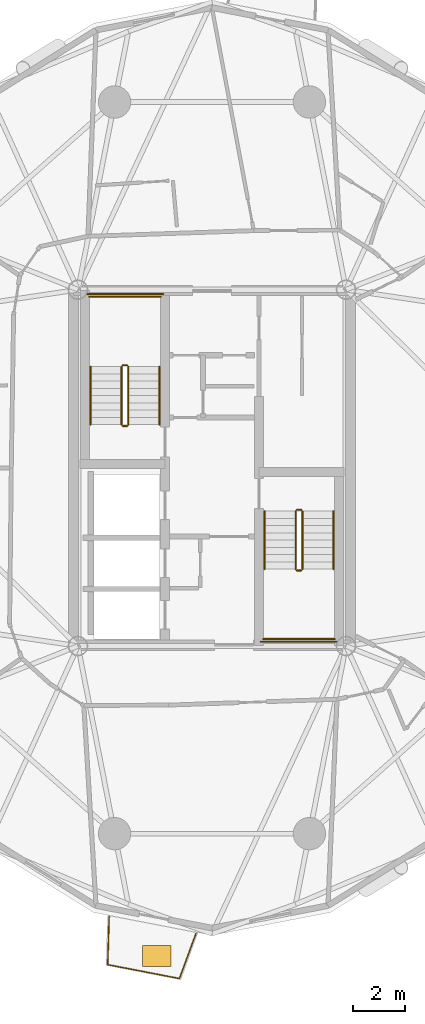
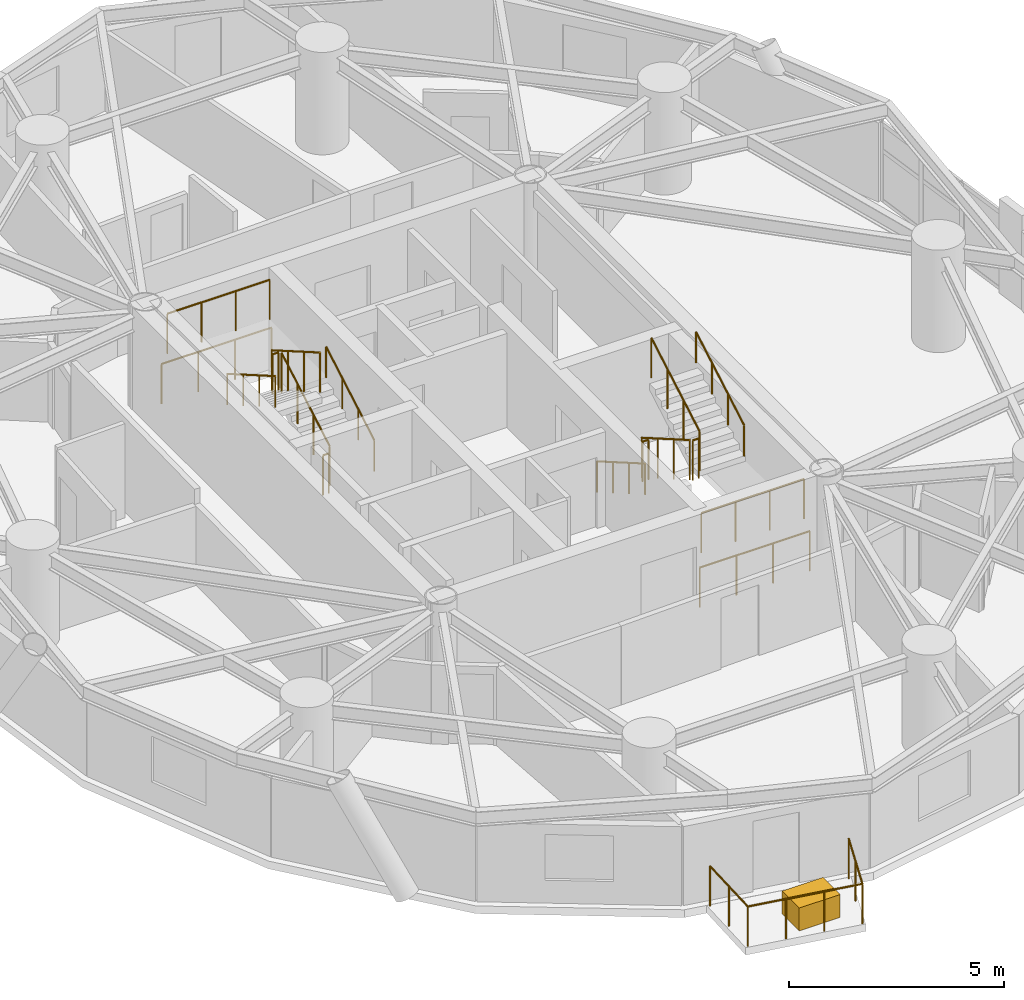
# One storey, part 15 of 17: 17 railings, 1 covering.
"""IFC4 building model written with IfcOpenShell, lengths in metres."""

from ifc_helpers import new_model, si_unit, direction, frame, origin, origin_2d, place, context, subcontext, project, spatial, rectangle, circle, extrude, source, transform, mapped, material, layer, layer_set, type_object, element, save


model = new_model("IFC4")

# Units and contexts
model_context = context("Model", 3, precision=1e-05, world=origin(), true_north=direction((0.0, 1.0)))
body_context = subcontext(model_context, "Body", "Model", "MODEL_VIEW")
ifc_project = project(units=[si_unit("LENGTHUNIT", "METRE"), si_unit("AREAUNIT", "SQUARE_METRE"), si_unit("VOLUMEUNIT", "CUBIC_METRE"), si_unit("PLANEANGLEUNIT", "RADIAN"), si_unit("MASSUNIT", "GRAM", prefix="KILO")], contexts=[model_context])

# Site, building, storey
site_placement = place(None, origin())
site = spatial("IfcSite", under=ifc_project, at=site_placement, CompositionType="ELEMENT")
building_placement = place(site_placement, origin())
building = spatial("IfcBuilding", under=site, at=building_placement, Name="Cununo Teusaquillo Station Towers", CompositionType="ELEMENT")
storey_placement = place(building_placement, frame((0.0, 0.0, 154.510009765625)))
storey = spatial("IfcBuildingStorey", under=building, at=storey_placement, Name="L48", CompositionType="ELEMENT", Elevation=154.510009765625)

# Railings
ifc_material_1 = material(Name="Anodised dark bronze aluminium EN AW-6063-T6", Category="aluminium")
railing_type_1 = type_object("IfcRailingType", Name="RL-EXT-GUARD", PredefinedType="GUARDRAIL", material=ifc_material_1)
railing_1_placement = place(storey_placement, frame((15.882568359375, 6.525390625, 0.0)))
element("IfcRailing", 1, at=railing_1_placement, inside=storey, type_object=railing_type_1, Name="L48 Tower A Balcony Guardrail C14", PredefinedType="GUARDRAIL", context=body_context, shape_type="SweptSolid", body=[
    extrude(circle(Radius=0.02392578125, at=origin_2d()), frame((0.0, 0.0, 1.1259765625), z_axis=(-0.344127190422, -0.938923040942, 0.0), x_axis=(0.938923040942, -0.344127190422, 0.0)), (0.0, 0.0, 1.0), 1.857421875),
    extrude(circle(Radius=0.02392578125, at=origin_2d()), frame((-0.63916015625, -1.743896484375, 1.1259765625), z_axis=(-0.981837596309, 0.18972331031, 0.0), x_axis=(-0.18972331031, -0.981837596309, 0.0)), (0.0, 0.0, 1.0), 2.822021484375),
    extrude(circle(Radius=0.02392578125, at=origin_2d()), frame((-3.409912109375, -1.20849609375, 1.1259765625), z_axis=(0.030492060761, 0.999535009007, 0.0), x_axis=(-0.999535009007, 0.030492060761, 0.0)), (0.0, 0.0, 1.0), 1.857666015625),
    extrude(circle(Radius=0.02099609375, at=origin_2d()), origin(), (0.0, 0.0, 1.0), 1.101806640625),
    extrude(circle(Radius=0.02099609375, at=origin_2d()), frame((-0.319580078125, -0.8720703125, 0.0)), (0.0, 0.0, 1.0), 1.101806640625),
    extrude(circle(Radius=0.02099609375, at=origin_2d()), frame((-0.63916015625, -1.743896484375, 0.0)), (0.0, 0.0, 1.0), 1.101806640625),
    extrude(circle(Radius=0.02099609375, at=origin_2d()), frame((-1.562744140625, -1.5654296875, 0.0)), (0.0, 0.0, 1.0), 1.101806640625),
    extrude(circle(Radius=0.02099609375, at=origin_2d()), frame((-2.486328125, -1.386962890625, 0.0)), (0.0, 0.0, 1.0), 1.101806640625),
    extrude(circle(Radius=0.02099609375, at=origin_2d()), frame((-3.409912109375, -1.20849609375, 0.0)), (0.0, 0.0, 1.0), 1.101806640625),
    extrude(circle(Radius=0.02099609375, at=origin_2d()), frame((-3.381591796875, -0.2802734375, 0.0)), (0.0, 0.0, 1.0), 1.101806640625),
    extrude(circle(Radius=0.02099609375, at=origin_2d()), frame((-3.353271484375, 0.648193359375, 0.0)), (0.0, 0.0, 1.0), 1.101806640625),
])
ifc_material_2 = material(Name="Steel EN 10025-2 S355J2", Category="steel")
railing_type_2 = type_object("IfcRailingType", Name="RL-INT-GUARD", PredefinedType="GUARDRAIL", material=ifc_material_2)
railing_2_placement = place(storey_placement, frame((13.27001953125, 26.169921875, 0.16162109375)))
element("IfcRailing", 2, at=railing_2_placement, inside=storey, type_object=railing_type_2, Name="L48 ST-T1-1 stair guard 1", PredefinedType="GUARDRAIL", context=body_context, shape_type="SweptSolid", body=[
    extrude(circle(Radius=0.02392578125, at=origin_2d()), frame((0.0, 0.0, 1.1259765625), z_axis=(0.0, 0.865992244559, 0.500057429065), x_axis=(-1.0, 0.0, 0.0)), (0.0, 0.0, 1.0), 2.586669921875),
    extrude(circle(Radius=0.02099609375, at=origin_2d()), origin(), (0.0, 0.0, 1.0), 1.101806640625),
    extrude(circle(Radius=0.02099609375, at=origin_2d()), frame((0.0, 0.74658203125, 0.43115234375)), (0.0, 0.0, 1.0), 1.101806640625),
    extrude(circle(Radius=0.02099609375, at=origin_2d()), frame((0.0, 1.493408203125, 0.8623046875)), (0.0, 0.0, 1.0), 1.101806640625),
    extrude(circle(Radius=0.02099609375, at=origin_2d()), frame((0.0, 2.239990234375, 1.29345703125)), (0.0, 0.0, 1.0), 1.101806640625),
])
railing_3_placement = place(storey_placement, frame((13.219970703125, 28.4599609375, 1.455078125)))
element("IfcRailing", 3, at=railing_3_placement, inside=storey, type_object=railing_type_2, Name="L48 ST-T1-1 stair guard 2", PredefinedType="GUARDRAIL", context=body_context, shape_type="SweptSolid", body=[
    extrude(circle(Radius=0.02392578125, at=origin_2d()), frame((0.0, 0.0, 1.1259765625), z_axis=(-1.0, 0.0, 0.0), x_axis=(0.0, -1.0, 0.0)), (0.0, 0.0, 1.0), 0.159912109375),
    extrude(circle(Radius=0.02099609375, at=origin_2d()), origin(), (0.0, 0.0, 1.0), 1.101806640625),
    extrude(circle(Radius=0.02099609375, at=origin_2d()), frame((-0.159912109375, 0.0, 0.0)), (0.0, 0.0, 1.0), 1.101806640625),
])
railing_4_placement = place(storey_placement, frame((14.52001953125, 31.110107421875, 1.455078125)))
element("IfcRailing", 4, at=railing_4_placement, inside=storey, type_object=railing_type_2, Name="L48 ST-T1-1 stair guard 3", PredefinedType="GUARDRAIL", context=body_context, shape_type="SweptSolid", body=[
    extrude(circle(Radius=0.02392578125, at=origin_2d()), frame((0.0, 0.0, 1.1259765625), z_axis=(-1.0, 0.0, 0.0), x_axis=(0.0, -1.0, 0.0)), (0.0, 0.0, 1.0), 2.760009765625),
    extrude(circle(Radius=0.02099609375, at=origin_2d()), origin(), (0.0, 0.0, 1.0), 1.101806640625),
    extrude(circle(Radius=0.02099609375, at=origin_2d()), frame((-0.919921875, 0.0, 0.0)), (0.0, 0.0, 1.0), 1.101806640625),
    extrude(circle(Radius=0.02099609375, at=origin_2d()), frame((-1.840087890625, 0.0, 0.0)), (0.0, 0.0, 1.0), 1.101806640625),
    extrude(circle(Radius=0.02099609375, at=origin_2d()), frame((-2.760009765625, 0.0, 0.0)), (0.0, 0.0, 1.0), 1.101806640625),
])
railing_5_placement = place(storey_placement, frame((13.010009765625, 28.409912109375, 1.61669921875)))
element("IfcRailing", 5, at=railing_5_placement, inside=storey, type_object=railing_type_2, Name="L48 ST-T1-1 stair guard 4", PredefinedType="GUARDRAIL", context=body_context, shape_type="SweptSolid", body=[
    extrude(circle(Radius=0.02392578125, at=origin_2d()), frame((0.0, 0.0, 1.1259765625), z_axis=(0.0, -0.866033117094, 0.499986639918), x_axis=(1.0, 0.0, 0.0)), (0.0, 0.0, 1.0), 2.58642578125),
    extrude(circle(Radius=0.02099609375, at=origin_2d()), origin(), (0.0, 0.0, 1.0), 1.101806640625),
    extrude(circle(Radius=0.02099609375, at=origin_2d()), frame((0.0, -0.74658203125, 0.43115234375)), (0.0, 0.0, 1.0), 1.101806640625),
    extrude(circle(Radius=0.02099609375, at=origin_2d()), frame((0.0, -1.493408203125, 0.862060546875)), (0.0, 0.0, 1.0), 1.101806640625),
    extrude(circle(Radius=0.02099609375, at=origin_2d()), frame((0.0, -2.239990234375, 1.293212890625)), (0.0, 0.0, 1.0), 1.101806640625),
])
railing_6_placement = place(storey_placement, frame((13.219970703125, 26.1201171875, 0.0)))
element("IfcRailing", 6, at=railing_6_placement, inside=storey, type_object=railing_type_2, Name="L48 ST-T1-1 stair guard 5", PredefinedType="GUARDRAIL", context=body_context, shape_type="SweptSolid", body=[
    extrude(circle(Radius=0.02392578125, at=origin_2d()), frame((0.0, 0.0, 1.1259765625), z_axis=(-1.0, 0.0, 0.0), x_axis=(0.0, -1.0, 0.0)), (0.0, 0.0, 1.0), 0.159912109375),
    extrude(circle(Radius=0.02099609375, at=origin_2d()), origin(), (0.0, 0.0, 1.0), 1.101806640625),
    extrude(circle(Radius=0.02099609375, at=origin_2d()), frame((-0.159912109375, 0.0, 0.0)), (0.0, 0.0, 1.0), 1.101806640625),
])
railing_7_placement = place(storey_placement, frame((14.6201171875, 31.2099609375, 0.0)))
element("IfcRailing", 7, at=railing_7_placement, inside=storey, type_object=railing_type_2, Name="L48 ST-T1-1 stair guard 6", PredefinedType="GUARDRAIL", context=body_context, shape_type="SweptSolid", body=[
    extrude(circle(Radius=0.02392578125, at=origin_2d()), frame((0.0, 0.0, 1.1259765625), z_axis=(-1.0, 0.0, 0.0), x_axis=(0.0, -1.0, 0.0)), (0.0, 0.0, 1.0), 2.960205078125),
    extrude(circle(Radius=0.02099609375, at=origin_2d()), origin(), (0.0, 0.0, 1.0), 1.101806640625),
    extrude(circle(Radius=0.02099609375, at=origin_2d()), frame((-0.98681640625, 0.0, 0.0)), (0.0, 0.0, 1.0), 1.101806640625),
    extrude(circle(Radius=0.02099609375, at=origin_2d()), frame((-1.973388671875, 0.0, 0.0)), (0.0, 0.0, 1.0), 1.101806640625),
    extrude(circle(Radius=0.02099609375, at=origin_2d()), frame((-2.960205078125, 0.0, 0.0)), (0.0, 0.0, 1.0), 1.101806640625),
])
railing_8_placement = place(storey_placement, frame((19.72998046875, 22.830078125, 0.16162109375)))
element("IfcRailing", 8, at=railing_8_placement, inside=storey, type_object=railing_type_2, Name="L48 ST-T1-2 stair guard 1", PredefinedType="GUARDRAIL", context=body_context, shape_type="SweptSolid", body=[
    extrude(circle(Radius=0.02392578125, at=origin_2d()), frame((0.0, 0.0, 1.1259765625), z_axis=(0.0, -0.865992244559, 0.500057429065), x_axis=(1.0, 0.0, 0.0)), (0.0, 0.0, 1.0), 2.586669921875),
    extrude(circle(Radius=0.02099609375, at=origin_2d()), origin(), (0.0, 0.0, 1.0), 1.101806640625),
    extrude(circle(Radius=0.02099609375, at=origin_2d()), frame((0.0, -0.74658203125, 0.43115234375)), (0.0, 0.0, 1.0), 1.101806640625),
    extrude(circle(Radius=0.02099609375, at=origin_2d()), frame((0.0, -1.493408203125, 0.8623046875)), (0.0, 0.0, 1.0), 1.101806640625),
    extrude(circle(Radius=0.02099609375, at=origin_2d()), frame((0.0, -2.239990234375, 1.29345703125)), (0.0, 0.0, 1.0), 1.101806640625),
])
railing_9_placement = place(storey_placement, frame((19.780029296875, 20.5400390625, 1.455078125)))
element("IfcRailing", 9, at=railing_9_placement, inside=storey, type_object=railing_type_2, Name="L48 ST-T1-2 stair guard 2", PredefinedType="GUARDRAIL", context=body_context, shape_type="SweptSolid", body=[
    extrude(circle(Radius=0.02392578125, at=origin_2d()), frame((0.0, 0.0, 1.1259765625), z_axis=(1.0, 0.0, 0.0), x_axis=(0.0, 1.0, 0.0)), (0.0, 0.0, 1.0), 0.159912109375),
    extrude(circle(Radius=0.02099609375, at=origin_2d()), origin(), (0.0, 0.0, 1.0), 1.101806640625),
    extrude(circle(Radius=0.02099609375, at=origin_2d()), frame((0.159912109375, 0.0, 0.0)), (0.0, 0.0, 1.0), 1.101806640625),
])
railing_10_placement = place(storey_placement, frame((18.47998046875, 17.889892578125, 1.455078125)))
element("IfcRailing", 10, at=railing_10_placement, inside=storey, type_object=railing_type_2, Name="L48 ST-T1-2 stair guard 3", PredefinedType="GUARDRAIL", context=body_context, shape_type="SweptSolid", body=[
    extrude(circle(Radius=0.02392578125, at=origin_2d()), frame((0.0, 0.0, 1.1259765625), z_axis=(1.0, 0.0, 0.0), x_axis=(0.0, 1.0, 0.0)), (0.0, 0.0, 1.0), 2.760009765625),
    extrude(circle(Radius=0.02099609375, at=origin_2d()), origin(), (0.0, 0.0, 1.0), 1.101806640625),
    extrude(circle(Radius=0.02099609375, at=origin_2d()), frame((0.919921875, 0.0, 0.0)), (0.0, 0.0, 1.0), 1.101806640625),
    extrude(circle(Radius=0.02099609375, at=origin_2d()), frame((1.840087890625, 0.0, 0.0)), (0.0, 0.0, 1.0), 1.101806640625),
    extrude(circle(Radius=0.02099609375, at=origin_2d()), frame((2.760009765625, 0.0, 0.0)), (0.0, 0.0, 1.0), 1.101806640625),
])
railing_11_placement = place(storey_placement, frame((19.989990234375, 20.590087890625, 1.61669921875)))
element("IfcRailing", 11, at=railing_11_placement, inside=storey, type_object=railing_type_2, Name="L48 ST-T1-2 stair guard 4", PredefinedType="GUARDRAIL", context=body_context, shape_type="SweptSolid", body=[
    extrude(circle(Radius=0.02392578125, at=origin_2d()), frame((0.0, 0.0, 1.1259765625), z_axis=(0.0, 0.866033117094, 0.499986639918), x_axis=(-1.0, 0.0, 0.0)), (0.0, 0.0, 1.0), 2.58642578125),
    extrude(circle(Radius=0.02099609375, at=origin_2d()), origin(), (0.0, 0.0, 1.0), 1.101806640625),
    extrude(circle(Radius=0.02099609375, at=origin_2d()), frame((0.0, 0.74658203125, 0.43115234375)), (0.0, 0.0, 1.0), 1.101806640625),
    extrude(circle(Radius=0.02099609375, at=origin_2d()), frame((0.0, 1.493408203125, 0.862060546875)), (0.0, 0.0, 1.0), 1.101806640625),
    extrude(circle(Radius=0.02099609375, at=origin_2d()), frame((0.0, 2.239990234375, 1.293212890625)), (0.0, 0.0, 1.0), 1.101806640625),
])
railing_12_placement = place(storey_placement, frame((19.780029296875, 22.8798828125, 0.0)))
element("IfcRailing", 12, at=railing_12_placement, inside=storey, type_object=railing_type_2, Name="L48 ST-T1-2 stair guard 5", PredefinedType="GUARDRAIL", context=body_context, shape_type="SweptSolid", body=[
    extrude(circle(Radius=0.02392578125, at=origin_2d()), frame((0.0, 0.0, 1.1259765625), z_axis=(1.0, 0.0, 0.0), x_axis=(0.0, 1.0, 0.0)), (0.0, 0.0, 1.0), 0.159912109375),
    extrude(circle(Radius=0.02099609375, at=origin_2d()), origin(), (0.0, 0.0, 1.0), 1.101806640625),
    extrude(circle(Radius=0.02099609375, at=origin_2d()), frame((0.159912109375, 0.0, 0.0)), (0.0, 0.0, 1.0), 1.101806640625),
])
railing_13_placement = place(storey_placement, frame((18.3798828125, 17.7900390625, 0.0)))
element("IfcRailing", 13, at=railing_13_placement, inside=storey, type_object=railing_type_2, Name="L48 ST-T1-2 stair guard 6", PredefinedType="GUARDRAIL", context=body_context, shape_type="SweptSolid", body=[
    extrude(circle(Radius=0.02392578125, at=origin_2d()), frame((0.0, 0.0, 1.1259765625), z_axis=(1.0, 0.0, 0.0), x_axis=(0.0, 1.0, 0.0)), (0.0, 0.0, 1.0), 2.960205078125),
    extrude(circle(Radius=0.02099609375, at=origin_2d()), origin(), (0.0, 0.0, 1.0), 1.101806640625),
    extrude(circle(Radius=0.02099609375, at=origin_2d()), frame((0.98681640625, 0.0, 0.0)), (0.0, 0.0, 1.0), 1.101806640625),
    extrude(circle(Radius=0.02099609375, at=origin_2d()), frame((1.973388671875, 0.0, 0.0)), (0.0, 0.0, 1.0), 1.101806640625),
    extrude(circle(Radius=0.02099609375, at=origin_2d()), frame((2.960205078125, 0.0, 0.0)), (0.0, 0.0, 1.0), 1.101806640625),
])
ifc_material_3 = material(Name="Steel EN 10025-2 S355J2", Category="steel")
railing_type_3 = type_object("IfcRailingType", Name="RL-INT-HRAIL", PredefinedType="HANDRAIL", material=ifc_material_3)
railing_14_placement = place(storey_placement, frame((14.469970703125, 26.169921875, 0.16162109375)))
element("IfcRailing", 14, at=railing_14_placement, inside=storey, type_object=railing_type_3, Name="L48 ST-T1-1 stair handrail 1", PredefinedType="HANDRAIL", context=body_context, shape_type="SweptSolid", body=[
    extrude(circle(Radius=0.02392578125, at=origin_2d()), frame((0.0, 0.0, 0.8759765625), z_axis=(0.0, 0.865992244559, 0.500057429065), x_axis=(-1.0, 0.0, 0.0)), (0.0, 0.0, 1.0), 2.586669921875),
    extrude(circle(Radius=0.02099609375, at=origin_2d()), origin(), (0.0, 0.0, 1.0), 0.851806640625),
    extrude(circle(Radius=0.02099609375, at=origin_2d()), frame((0.0, 0.74658203125, 0.43115234375)), (0.0, 0.0, 1.0), 0.851806640625),
    extrude(circle(Radius=0.02099609375, at=origin_2d()), frame((0.0, 1.493408203125, 0.8623046875)), (0.0, 0.0, 1.0), 0.851806640625),
    extrude(circle(Radius=0.02099609375, at=origin_2d()), frame((0.0, 2.239990234375, 1.29345703125)), (0.0, 0.0, 1.0), 0.851806640625),
])
railing_15_placement = place(storey_placement, frame((11.81005859375, 28.409912109375, 1.61669921875)))
element("IfcRailing", 15, at=railing_15_placement, inside=storey, type_object=railing_type_3, Name="L48 ST-T1-1 stair handrail 2", PredefinedType="HANDRAIL", context=body_context, shape_type="SweptSolid", body=[
    extrude(circle(Radius=0.02392578125, at=origin_2d()), frame((0.0, 0.0, 0.8759765625), z_axis=(0.0, -0.866033117094, 0.499986639918), x_axis=(1.0, 0.0, 0.0)), (0.0, 0.0, 1.0), 2.58642578125),
    extrude(circle(Radius=0.02099609375, at=origin_2d()), origin(), (0.0, 0.0, 1.0), 0.851806640625),
    extrude(circle(Radius=0.02099609375, at=origin_2d()), frame((0.0, -0.74658203125, 0.43115234375)), (0.0, 0.0, 1.0), 0.851806640625),
    extrude(circle(Radius=0.02099609375, at=origin_2d()), frame((0.0, -1.493408203125, 0.862060546875)), (0.0, 0.0, 1.0), 0.851806640625),
    extrude(circle(Radius=0.02099609375, at=origin_2d()), frame((0.0, -2.239990234375, 1.293212890625)), (0.0, 0.0, 1.0), 0.851806640625),
])
railing_16_placement = place(storey_placement, frame((18.530029296875, 22.830078125, 0.16162109375)))
element("IfcRailing", 16, at=railing_16_placement, inside=storey, type_object=railing_type_3, Name="L48 ST-T1-2 stair handrail 1", PredefinedType="HANDRAIL", context=body_context, shape_type="SweptSolid", body=[
    extrude(circle(Radius=0.02392578125, at=origin_2d()), frame((0.0, 0.0, 0.8759765625), z_axis=(0.0, -0.865992244559, 0.500057429065), x_axis=(1.0, 0.0, 0.0)), (0.0, 0.0, 1.0), 2.586669921875),
    extrude(circle(Radius=0.02099609375, at=origin_2d()), origin(), (0.0, 0.0, 1.0), 0.851806640625),
    extrude(circle(Radius=0.02099609375, at=origin_2d()), frame((0.0, -0.74658203125, 0.43115234375)), (0.0, 0.0, 1.0), 0.851806640625),
    extrude(circle(Radius=0.02099609375, at=origin_2d()), frame((0.0, -1.493408203125, 0.8623046875)), (0.0, 0.0, 1.0), 0.851806640625),
    extrude(circle(Radius=0.02099609375, at=origin_2d()), frame((0.0, -2.239990234375, 1.29345703125)), (0.0, 0.0, 1.0), 0.851806640625),
])
railing_17_placement = place(storey_placement, frame((21.18994140625, 20.590087890625, 1.61669921875)))
element("IfcRailing", 17, at=railing_17_placement, inside=storey, type_object=railing_type_3, Name="L48 ST-T1-2 stair handrail 2", PredefinedType="HANDRAIL", context=body_context, shape_type="SweptSolid", body=[
    extrude(circle(Radius=0.02392578125, at=origin_2d()), frame((0.0, 0.0, 0.8759765625), z_axis=(0.0, 0.866033117094, 0.499986639918), x_axis=(-1.0, 0.0, 0.0)), (0.0, 0.0, 1.0), 2.58642578125),
    extrude(circle(Radius=0.02099609375, at=origin_2d()), origin(), (0.0, 0.0, 1.0), 0.851806640625),
    extrude(circle(Radius=0.02099609375, at=origin_2d()), frame((0.0, 0.74658203125, 0.43115234375)), (0.0, 0.0, 1.0), 0.851806640625),
    extrude(circle(Radius=0.02099609375, at=origin_2d()), frame((0.0, 1.493408203125, 0.862060546875)), (0.0, 0.0, 1.0), 0.851806640625),
    extrude(circle(Radius=0.02099609375, at=origin_2d()), frame((0.0, 2.239990234375, 1.293212890625)), (0.0, 0.0, 1.0), 0.851806640625),
])

# Covering
ifc_material_4 = material(Name="Architectural GRC planter shell and engineered root-zone substrate", Category="concrete")
ifc_layer = layer(ifc_material_4, 0.64990234375)
ifc_layer_set = layer_set([ifc_layer], Name="Architectural GRC planter shell and engineered root-zone substrate")
covering_type = type_object("IfcCoveringType", Name="COV-TREE-PLANTER", PredefinedType="CLADDING", material=ifc_layer_set)
shared_shape = source(origin(), body_context, "Body", "SweptSolid", [
    extrude(rectangle(XDim=1.10009765625, YDim=0.800048828125, at=origin_2d()), origin(), (0.0, 0.0, 1.0), 0.64990234375),
])
covering_placement = place(storey_placement, frame((14.366943359375, 5.653564453125, 0.0), z_axis=(0.0, 0.0, 1.0), x_axis=(1.0, 0.0, 0.0)))
element("IfcCovering", 18, at=covering_placement, inside=storey, type_object=covering_type, Name="L48 Tower A Balcony Tree PLANTER C14", PredefinedType="CLADDING", context=body_context, shape_type="MappedRepresentation", body=[
    mapped(shared_shape, transform((0.0, 0.0, 0.0), x_axis=(1.0, 0.0, 0.0), y_axis=(0.0, 1.0, 0.0), z_axis=(0.0, 0.0, 1.0), scale=1.0)),
])

save(model, "model.ifc")
